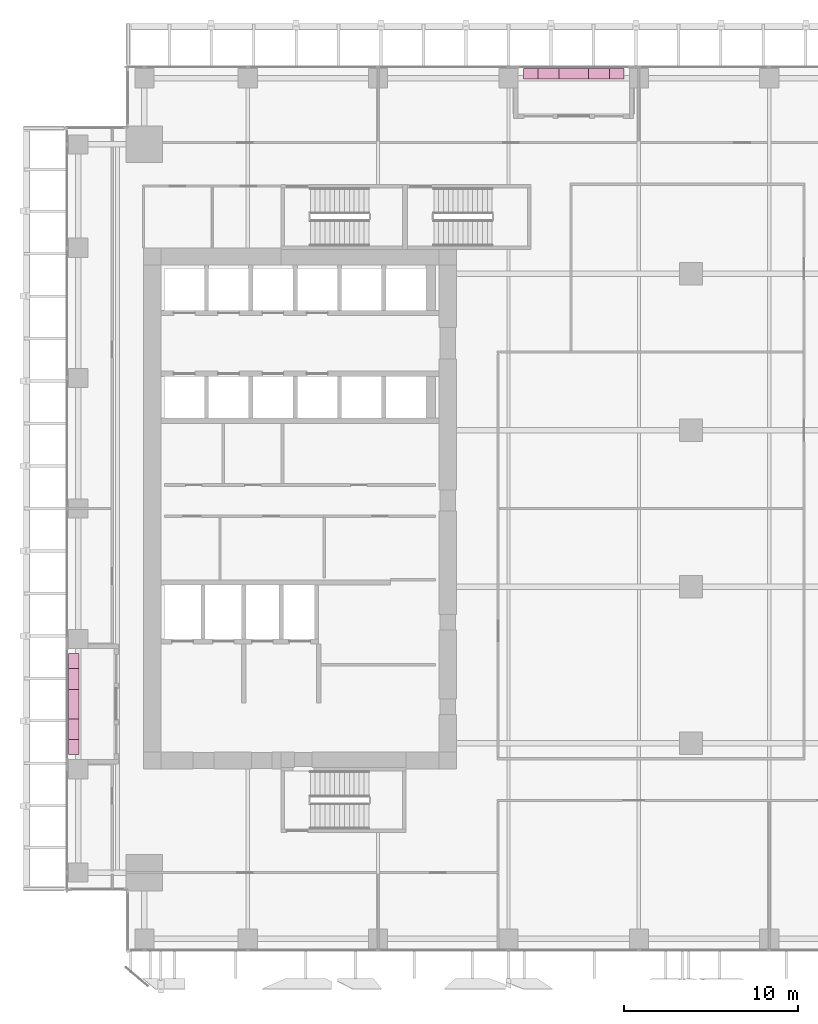
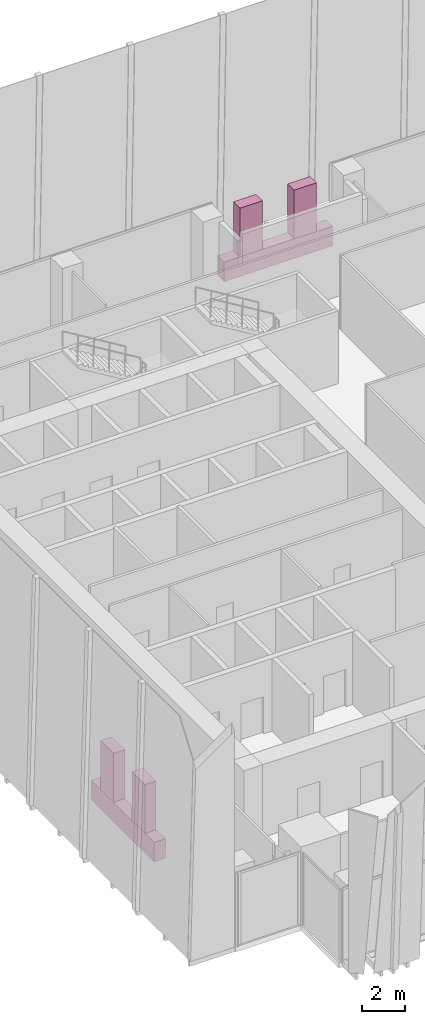
# One storey, part 34 of 34: 6 furnishings.
"""IFC4 building model written with IfcOpenShell, lengths in metres."""

import ifcopenshell
import ifcopenshell.guid

model = None  # the IFC model being written
_history = None  # IfcOwnerHistory: only IFC2X3 demands one
_inside = {}  # id of a spatial element -> (the spatial element, [elements in it])
_under = {}  # id of a project, library or spatial element -> (it, [spatial elements below it])
_declared = {}  # id of a project -> (the project, [libraries it declares])
_typed = {}  # id of a type object -> (the type object, [elements of that type])
_made_of = {}  # id of a material, layer set ... -> (it, [elements and type objects made of it])


def new_model(schema):
    """Start an empty IFC model of exactly this schema.

    Asked for "IFC4X3", IfcOpenShell would pick the latest addendum, in which some entities
    have other attributes; the version numbers below select the first issue.
    IFC2X3 requires an IfcOwnerHistory on every rooted entity: one is made here for all.
    """
    global model, _history
    if schema == "IFC4X3":
        model = ifcopenshell.file(schema_version=(4, 3, 0, 0))
    else:
        model = ifcopenshell.file(schema=schema)
    _inside.clear()
    _under.clear()
    _declared.clear()
    _typed.clear()
    _made_of.clear()
    _history = None
    if model.schema == "IFC2X3":
        org = make("IfcOrganization", Name="unknown")
        user = make(
            "IfcPersonAndOrganization",
            ThePerson=make("IfcPerson", FamilyName="unknown"),
            TheOrganization=org,
        )
        app = make(
            "IfcApplication",
            ApplicationDeveloper=org,
            Version="unknown",
            ApplicationFullName="unknown",
            ApplicationIdentifier="unknown",
        )
        _history = make(
            "IfcOwnerHistory",
            OwningUser=user,
            OwningApplication=app,
            ChangeAction="ADDED",
            CreationDate=0,
        )
    return model


def make(cls, **values):
    """One entity of the class cls with the attributes given. An attribute that is None is left unset."""
    return model.create_entity(
        cls, **{name: value for name, value in values.items() if value is not None}
    )


def rooted(cls, **values):
    """An entity with a GlobalId (a new one), such as an element, a storey or a relation."""
    return make(cls, GlobalId=ifcopenshell.guid.new(), OwnerHistory=_history, **values)


def si_unit(unit_type, name, prefix=None):
    """IfcSIUnit, for example si_unit("LENGTHUNIT", "METRE", prefix="MILLI")."""
    return make("IfcSIUnit", UnitType=unit_type, Prefix=prefix, Name=name)


def assignment(units):
    """IfcUnitAssignment: the units of a project."""
    return None if units is None else make("IfcUnitAssignment", Units=units)


def point(xyz):
    """IfcCartesianPoint."""
    return None if xyz is None else make("IfcCartesianPoint", Coordinates=xyz)


def direction(xyz):
    """IfcDirection."""
    return None if xyz is None else make("IfcDirection", DirectionRatios=xyz)


def frame(location, z_axis=None, x_axis=None):
    """IfcAxis2Placement3D, a coordinate frame: its origin and axes. An axis left out is left unset."""
    return make(
        "IfcAxis2Placement3D",
        Location=point(location),
        Axis=direction(z_axis),
        RefDirection=direction(x_axis),
    )


def frame_2d(location, x_axis=None):
    """IfcAxis2Placement2D, a coordinate frame in the plane: its origin and x axis."""
    return make(
        "IfcAxis2Placement2D", Location=point(location), RefDirection=direction(x_axis)
    )


def origin():
    """The frame at (0, 0, 0) with its axes left unset."""
    return frame((0.0, 0.0, 0.0))


def origin_2d():
    """The frame at (0, 0) in the plane with its x axis left unset."""
    return frame_2d((0.0, 0.0))


def place(relative_to, where):
    """IfcLocalPlacement: puts the frame where relative to a parent placement (None: the world)."""
    return make(
        "IfcLocalPlacement", PlacementRelTo=relative_to, RelativePlacement=where
    )


def context(
    kind, dimensions, precision=None, world=None, true_north=None, identifier=None
):
    """IfcGeometricRepresentationContext, for example the 3D "Model" context."""
    return make(
        "IfcGeometricRepresentationContext",
        ContextIdentifier=identifier,
        ContextType=kind,
        CoordinateSpaceDimension=dimensions,
        Precision=precision,
        WorldCoordinateSystem=world,
        TrueNorth=true_north,
    )


def subcontext(parent, identifier, kind, view, scale=None):
    """IfcGeometricRepresentationSubContext, for example "Body" below "Model"."""
    return make(
        "IfcGeometricRepresentationSubContext",
        ContextIdentifier=identifier,
        ContextType=kind,
        ParentContext=parent,
        TargetScale=scale,
        TargetView=view,
    )


def project(units=None, contexts=None):
    """IfcProject with its units and contexts."""
    return rooted(
        "IfcProject",
        Name="project",
        RepresentationContexts=contexts,
        UnitsInContext=assignment(units),
    )


def spatial(cls, under=None, at=None, **own):
    """A site, building, storey or space (cls), placed at a placement, below another one or the project."""
    s = rooted(cls, ObjectPlacement=at, **own)
    if under is not None:
        _under.setdefault(under.id(), (under, []))[1].append(s)
    return s


def profile(cls, at=None, kind="AREA", **sizes):
    """A parametric profile (cls). Its sizes go by their IFC names, for example OverallWidth=200.0."""
    return make(cls, ProfileType=kind, Position=at, **sizes)


def rectangle(**sizes):
    """IfcRectangleProfileDef."""
    return profile("IfcRectangleProfileDef", **sizes)


def extrude(swept, where, along, depth):
    """IfcExtrudedAreaSolid: the profile swept, set in the frame where, extruded along a direction by depth."""
    return make(
        "IfcExtrudedAreaSolid",
        SweptArea=swept,
        Position=where,
        ExtrudedDirection=direction(along),
        Depth=depth,
    )


def shape(context_of_items, identifier, shape_type, items):
    """IfcShapeRepresentation: the items that make up one representation, for example the "Body"."""
    return make(
        "IfcShapeRepresentation",
        ContextOfItems=context_of_items,
        RepresentationIdentifier=identifier,
        RepresentationType=shape_type,
        Items=items,
    )


def source(mapping_origin, context_of_items, identifier, shape_type, items):
    """IfcRepresentationMap: a shape defined once, which mapped items show again and again."""
    return make(
        "IfcRepresentationMap",
        MappingOrigin=mapping_origin,
        MappedRepresentation=shape(context_of_items, identifier, shape_type, items),
    )


def transform(
    local_origin,
    x_axis=None,
    y_axis=None,
    z_axis=None,
    scale=None,
    scale2=None,
    scale3=None,
    uniform=True,
):
    """IfcCartesianTransformationOperator3D, or its non-uniform kind. x_axis, y_axis, z_axis: its Axis1, 2, 3."""
    if uniform:
        return make(
            "IfcCartesianTransformationOperator3D",
            Axis1=direction(x_axis),
            Axis2=direction(y_axis),
            LocalOrigin=point(local_origin),
            Scale=scale,
            Axis3=direction(z_axis),
        )
    return make(
        "IfcCartesianTransformationOperator3DnonUniform",
        Axis1=direction(x_axis),
        Axis2=direction(y_axis),
        LocalOrigin=point(local_origin),
        Scale=scale,
        Axis3=direction(z_axis),
        Scale2=scale2,
        Scale3=scale3,
    )


def mapped(mapping_source, mapping_target):
    """IfcMappedItem: shows the shape of a source again, moved by a transform."""
    return make(
        "IfcMappedItem", MappingSource=mapping_source, MappingTarget=mapping_target
    )


def material(Name=None, Category=None):
    """IfcMaterial."""
    return make("IfcMaterial", Name=Name, Category=Category)


def made_of(thing, what):
    """Note that an element or type object is made of a material, layer set ...; save() writes the relation."""
    if what is not None:
        _made_of.setdefault(what.id(), (what, []))[1].append(thing)
    return thing


def type_object(cls, material=None, **own):
    """A type object (cls), such as IfcWallType, which elements share."""
    return made_of(rooted(cls, **own), material)


def element(
    cls,
    number,
    at=None,
    inside=None,
    cuts=None,
    type_object=None,
    material=None,
    context=None,
    identifier="Body",
    shape_type=None,
    held_by="IfcProductDefinitionShape",
    body=None,
    shapes=None,
    **own,
):
    """One element of the class cls, such as IfcWall. Its Tag is "e" and its number.

    at: its placement. inside: the storey or other place that contains it. cuts: it is an
    opening in that element (IfcRelVoidsElement). A single representation is given by context,
    identifier, shape_type and body (its items); several are given by shapes. held_by: the class
    of the entity that holds the representations. save() writes the other relations.
    """
    e = rooted(cls, Tag="e%d" % number, ObjectPlacement=at, **own)
    if body is not None:
        shapes = [shape(context, identifier, shape_type, body)]
    if shapes is not None:
        e.Representation = make(held_by, Representations=shapes)
    if inside is not None:
        _inside.setdefault(inside.id(), (inside, []))[1].append(e)
    if cuts is not None:
        rooted(
            "IfcRelVoidsElement", RelatingBuildingElement=cuts, RelatedOpeningElement=e
        )
    if type_object is not None:
        _typed.setdefault(type_object.id(), (type_object, []))[1].append(e)
    return made_of(e, material)


def aggregate(whole, parts):
    """IfcRelAggregates: a whole, such as a stair, and the parts it consists of."""
    return rooted("IfcRelAggregates", RelatingObject=whole, RelatedObjects=parts)


def save(model, path):
    """Write the relations noted so far, then the file.

    IfcRelAggregates (storeys below a building ...), IfcRelContainedInSpatialStructure (elements
    in a storey), IfcRelDefinesByType, IfcRelAssociatesMaterial and IfcRelDeclares: one each for
    every whole, place, type object, material and project.
    """
    for whole, parts in _under.values():
        aggregate(whole, parts)
    for where, things in _inside.values():
        rooted(
            "IfcRelContainedInSpatialStructure",
            RelatedElements=things,
            RelatingStructure=where,
        )
    for kind, things in _typed.values():
        rooted("IfcRelDefinesByType", RelatedObjects=things, RelatingType=kind)
    for what, things in _made_of.values():
        rooted("IfcRelAssociatesMaterial", RelatedObjects=things, RelatingMaterial=what)
    for by, libraries in _declared.values():
        rooted("IfcRelDeclares", RelatingContext=by, RelatedDefinitions=libraries)
    model.write(path)


model = new_model("IFC4")

# Units and contexts
model_context = context("Model", 3, precision=1e-05, world=origin(), true_north=direction((0.0, 1.0)))
body_context = subcontext(model_context, "Body", "Model", "MODEL_VIEW")
ifc_project = project(units=[si_unit("LENGTHUNIT", "METRE"), si_unit("AREAUNIT", "SQUARE_METRE"), si_unit("VOLUMEUNIT", "CUBIC_METRE"), si_unit("PLANEANGLEUNIT", "RADIAN"), si_unit("MASSUNIT", "GRAM", prefix="KILO")], contexts=[model_context])

# Site, building, storey
site_placement = place(None, origin())
site = spatial("IfcSite", under=ifc_project, at=site_placement, CompositionType="ELEMENT")
building_placement = place(site_placement, origin())
building = spatial("IfcBuilding", under=site, at=building_placement, Name="Khomas Fold Tower", CompositionType="ELEMENT")
storey_placement = place(building_placement, frame((0.0, 0.0, 114.699951171875)))
storey = spatial("IfcBuildingStorey", under=building, at=storey_placement, Name="L24", CompositionType="ELEMENT", Elevation=114.699951171875)

# Furnishings
ifc_material_1 = material(Name="Planting")
furnishing_element_type_1 = type_object("IfcFurnishingElementType", Name="BL-Tree Shepherd's tree", material=ifc_material_1)
shared_shape_1 = source(origin(), body_context, "Body", "SweptSolid", [
    extrude(rectangle(XDim=1.199951171875, YDim=0.60009765625, at=origin_2d()), origin(), (0.0, 0.0, 1.0), 2.7451171875),
])
furnishing_1_placement = place(storey_placement, frame((29.300048828125, 52.0, 1.054931640625), z_axis=(0.0, 0.0, 1.0), x_axis=(1.0, 0.0, 0.0)))
element("IfcFurnishingElement", 1, at=furnishing_1_placement, inside=storey, type_object=furnishing_element_type_1, Name="PLANTER (TREE) Shepherd's tree BAL-L24-N3-1", context=body_context, shape_type="MappedRepresentation", body=[
    mapped(shared_shape_1, transform((0.0, 0.0, 0.0))),
])
ifc_material_2 = material(Name="Planting")
furnishing_element_type_2 = type_object("IfcFurnishingElementType", Name="BL-Tree Karee", material=ifc_material_2)
furnishing_2_placement = place(storey_placement, frame((32.199951171875, 52.0, 1.054931640625), z_axis=(0.0, 0.0, 1.0), x_axis=(1.0, 0.0, 0.0)))
element("IfcFurnishingElement", 2, at=furnishing_2_placement, inside=storey, type_object=furnishing_element_type_2, Name="PLANTER (TREE) Karee BAL-L24-N3-2", context=body_context, shape_type="MappedRepresentation", body=[
    mapped(shared_shape_1, transform((0.0, 0.0, 0.0))),
])
furnishing_3_placement = place(storey_placement, frame((2.0, 14.300048828125, 1.054931640625), z_axis=(0.0, 0.0, 1.0), x_axis=(0.0, 1.0, 0.0)))
element("IfcFurnishingElement", 3, at=furnishing_3_placement, inside=storey, type_object=furnishing_element_type_1, Name="PLANTER (TREE) Shepherd's tree BAL-L24-W1-1", context=body_context, shape_type="MappedRepresentation", body=[
    mapped(shared_shape_1, transform((0.0, 0.0, 0.0))),
])
furnishing_4_placement = place(storey_placement, frame((2.0, 17.199951171875, 1.054931640625), z_axis=(0.0, 0.0, 1.0), x_axis=(0.0, 1.0, 0.0)))
element("IfcFurnishingElement", 4, at=furnishing_4_placement, inside=storey, type_object=furnishing_element_type_2, Name="PLANTER (TREE) Karee BAL-L24-W1-2", context=body_context, shape_type="MappedRepresentation", body=[
    mapped(shared_shape_1, transform((0.0, 0.0, 0.0))),
])
ifc_material_3 = material(Name="Precast concrete C40/50", Category="concrete")
furnishing_element_type_3 = type_object("IfcFurnishingElementType", Name="BL-Structural planter box", material=ifc_material_3)
shared_shape_2 = source(origin(), body_context, "Body", "SweptSolid", [
    extrude(rectangle(XDim=5.800048828125, YDim=0.60009765625, at=origin_2d()), origin(), (0.0, 0.0, 1.0), 1.10009765625),
])
for number, where, z_axis, x_axis, name in (
    (5, (30.75, 52.0, -0.044921875), (0.0, 0.0, 1.0), (1.0, 0.0, 0.0), "PLANTER BAL-L24-N3"),
    (6, (2.0, 15.75, -0.044921875), (0.0, 0.0, 1.0), (0.0, 1.0, 0.0), "PLANTER BAL-L24-W1"),
):
    element("IfcFurnishingElement", number, at=place(storey_placement, frame(where, z_axis=z_axis, x_axis=x_axis)), inside=storey, type_object=furnishing_element_type_3, Name=name, context=body_context, shape_type="MappedRepresentation", body=[
        mapped(shared_shape_2, transform((0.0, 0.0, 0.0))),
    ])

save(model, "model.ifc")
